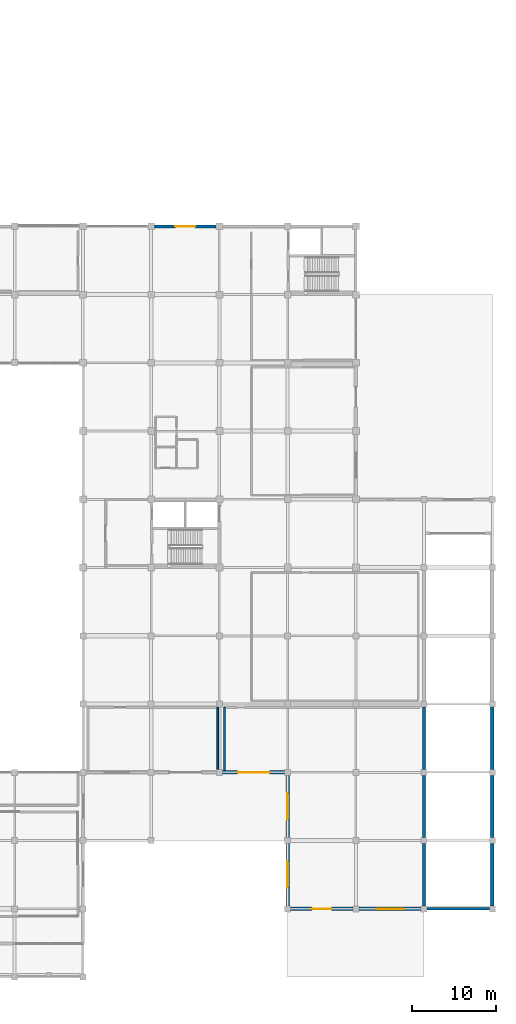
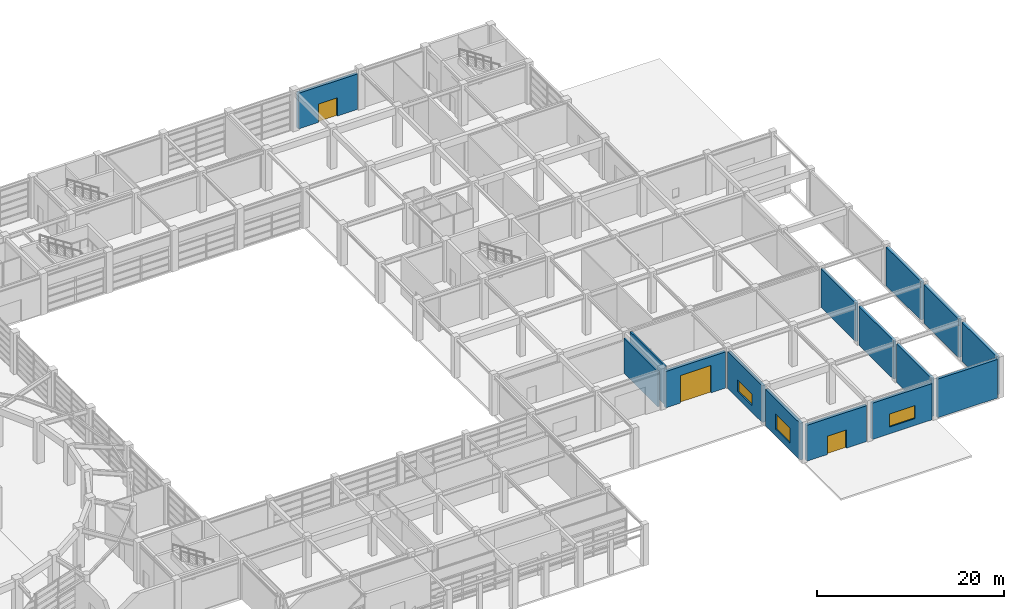
# One storey, part 41 of 52: 15 walls, 3 doors, 3 windows, 6 openings.
"""IFC4 building model written with IfcOpenShell, lengths in metres."""

from ifc_helpers import new_model, si_unit, direction, frame, frame_2d, origin, place, context, subcontext, project, spatial, rectangle, extrude, material, layer, layer_set, type_object, element, fill, save


model = new_model("IFC4")

# Units and contexts
model_context = context("Model", 3, precision=1e-05, world=origin(), true_north=direction((0.0, 1.0)))
body_context = subcontext(model_context, "Body", "Model", "MODEL_VIEW")
ifc_project = project(units=[si_unit("LENGTHUNIT", "METRE"), si_unit("AREAUNIT", "SQUARE_METRE"), si_unit("VOLUMEUNIT", "CUBIC_METRE"), si_unit("PLANEANGLEUNIT", "RADIAN"), si_unit("MASSUNIT", "GRAM", prefix="KILO")], contexts=[model_context])

# Site, building, storey
site_placement = place(None, origin())
site = spatial("IfcSite", under=ifc_project, at=site_placement, CompositionType="ELEMENT")
building_placement = place(site_placement, origin())
building = spatial("IfcBuilding", under=site, at=building_placement, Name="Parian Resonance Hall", CompositionType="ELEMENT")
storey_placement = place(building_placement, origin())
storey = spatial("IfcBuildingStorey", under=building, at=storey_placement, Name="L00", CompositionType="ELEMENT", Elevation=0.0)

# Wall, opening, door
ifc_material_1 = material(Name="Concrete C35/45 with Carcar coral-limestone ashlar", Category="masonry")
ifc_layer_1 = layer(ifc_material_1, 0.3798828125)
ifc_layer_set_1 = layer_set([ifc_layer_1], Name="Concrete C35/45 with Carcar coral-limestone ashlar")
wall_type_1 = type_object("IfcWallType", Name="EW-PLINTH-380", PredefinedType="SOLIDWALL", material=ifc_layer_set_1)
wall_1_placement = place(storey_placement, frame((121.89990234375, 89.10009765625, 0.0), z_axis=(0.0, 0.0, 1.0), x_axis=(1.0, 0.0, 0.0)))
wall_1 = element("IfcWall", 1, at=wall_1_placement, inside=storey, type_object=wall_type_1, Name="Exterior wall EW-L00-0159", PredefinedType="SOLIDWALL", context=body_context, shape_type="SweptSolid", body=[
    extrude(rectangle(XDim=7.300048828125, YDim=0.3798828125, at=frame_2d((3.64990234375, 0.0))), origin(), (0.0, 0.0, 1.0), 4.655029296875),
])
opening_1_placement = place(wall_1_placement, frame((2.469970703125, 0.0, 0.0)))
opening_1 = element("IfcOpeningElement", 2, at=opening_1_placement, cuts=wall_1, Name="Opening EX-01", PredefinedType="OPENING", context=body_context, shape_type="SweptSolid", body=[
    extrude(rectangle(XDim=2.360107421875, YDim=2.39990234375, at=frame_2d((1.18017578125, 1.199951171875))), frame((0.0, 0.199951171875, 0.0), z_axis=(0.0, -1.0, 0.0), x_axis=(1.0, 0.0, 0.0)), (0.0, 0.0, 1.0), 0.39990234375),
])
ifc_material_2 = material(Name="Marine-grade bronze and acoustic glazed door")
door_type_1 = type_object("IfcDoorType", Name="ED-EXIT-2000x2400", OperationType="NOTDEFINED", PredefinedType="DOOR", material=ifc_material_2)
door_1_placement = place(opening_1_placement, origin())
door_1 = element("IfcDoor", 3, at=door_1_placement, inside=storey, type_object=door_type_1, Name="North artists exit door EX-V5N-15", OperationType="DOUBLE_DOOR_SINGLE_SWING", OverallHeight=2.39990234375, OverallWidth=2.360107421875, PredefinedType="DOOR", context=body_context, shape_type="SweptSolid", body=[
    extrude(rectangle(XDim=2.360107421875, YDim=2.39990234375, at=frame_2d((1.18017578125, 1.199951171875))), frame((0.0, 0.02490234375, 0.0), z_axis=(0.0, -1.0, 0.0), x_axis=(1.0, 0.0, 0.0)), (0.0, 0.0, 1.0), 0.050048828125),
])
fill(opening_1, door_1)

# Wall, opening, window
wall_2_placement = place(storey_placement, frame((137.699951171875, 23.949951171875, 0.0), z_axis=(0.0, 0.0, 1.0), x_axis=(0.0, -1.0, 0.0)))
wall_2 = element("IfcWall", 4, at=wall_2_placement, inside=storey, type_object=wall_type_1, Name="Perimeter closure wall L00", PredefinedType="SOLIDWALL", context=body_context, shape_type="SweptSolid", body=[
    extrude(rectangle(XDim=7.39990234375, YDim=0.3798828125, at=frame_2d((3.699951171875, 0.0))), origin(), (0.0, 0.0, 1.0), 4.806884765625),
])
opening_2_placement = place(wall_2_placement, frame((2.14990234375, 0.0, 0.89990234375)))
opening_2 = element("IfcOpeningElement", 5, at=opening_2_placement, cuts=wall_2, Name="Opening WN-49", PredefinedType="OPENING", context=body_context, shape_type="SweptSolid", body=[
    extrude(rectangle(XDim=3.10009765625, YDim=1.5, at=frame_2d((1.550048828125, 0.75))), frame((0.0, 0.199951171875, 0.0), z_axis=(0.0, -1.0, 0.0), x_axis=(1.0, 0.0, 0.0)), (0.0, 0.0, 1.0), 0.39990234375),
])
ifc_material_3 = material(Name="Acoustic laminated double glazing", Category="glass")
window_type_1 = type_object("IfcWindowType", Name="WIN-3100x1500", PartitioningType="SINGLE_PANEL", PredefinedType="WINDOW", material=ifc_material_3)
window_1_placement = place(opening_2_placement, origin())
window_1 = element("IfcWindow", 6, at=window_1_placement, inside=storey, type_object=window_type_1, Name="Acoustic window L00-0042", OverallHeight=1.5, OverallWidth=3.10009765625, PartitioningType="SINGLE_PANEL", PredefinedType="WINDOW", context=body_context, shape_type="SweptSolid", body=[
    extrude(rectangle(XDim=3.10009765625, YDim=1.5, at=frame_2d((1.550048828125, 0.75))), frame((0.0, 0.030029296875, 0.0), z_axis=(0.0, -1.0, 0.0), x_axis=(1.0, 0.0, 0.0)), (0.0, 0.0, 1.0), 0.06005859375),
])
fill(opening_2, window_1)

wall_3_placement = place(storey_placement, frame((137.699951171875, 15.85009765625, 0.0), z_axis=(0.0, 0.0, 1.0), x_axis=(0.0, -1.0, 0.0)))
wall_3 = element("IfcWall", 7, at=wall_3_placement, inside=storey, type_object=wall_type_1, Name="Perimeter closure wall L00", PredefinedType="SOLIDWALL", context=body_context, shape_type="SweptSolid", body=[
    extrude(rectangle(XDim=7.400146484375, YDim=0.3798828125, at=frame_2d((3.7001953125, 0.0))), origin(), (0.0, 0.0, 1.0), 4.806884765625),
])
opening_3_placement = place(wall_3_placement, frame((2.14990234375, 0.0, 0.89990234375)))
opening_3 = element("IfcOpeningElement", 8, at=opening_3_placement, cuts=wall_3, Name="Opening WN-50", PredefinedType="OPENING", context=body_context, shape_type="SweptSolid", body=[
    extrude(rectangle(XDim=3.10009765625, YDim=2.0, at=frame_2d((1.550048828125, 1.0))), frame((0.0, 0.199951171875, 0.0), z_axis=(0.0, -1.0, 0.0), x_axis=(1.0, 0.0, 0.0)), (0.0, 0.0, 1.0), 0.39990234375),
])
ifc_material_4 = material(Name="Acoustic laminated double glazing", Category="glass")
window_type_2 = type_object("IfcWindowType", Name="WIN-3100x2000", PartitioningType="SINGLE_PANEL", PredefinedType="WINDOW", material=ifc_material_4)
window_2_placement = place(opening_3_placement, origin())
window_2 = element("IfcWindow", 9, at=window_2_placement, inside=storey, type_object=window_type_2, Name="Acoustic window L00-0043", OverallHeight=2.0, OverallWidth=3.10009765625, PartitioningType="SINGLE_PANEL", PredefinedType="WINDOW", context=body_context, shape_type="SweptSolid", body=[
    extrude(rectangle(XDim=3.10009765625, YDim=2.0, at=frame_2d((1.550048828125, 1.0))), frame((0.0, 0.030029296875, 0.0), z_axis=(0.0, -1.0, 0.0), x_axis=(1.0, 0.0, 0.0)), (0.0, 0.0, 1.0), 0.06005859375),
])
fill(opening_3, window_2)

wall_4_placement = place(storey_placement, frame((146.14990234375, 8.10009765625, 0.0), z_axis=(0.0, 0.0, 1.0), x_axis=(1.0, 0.0, 0.0)))
wall_4 = element("IfcWall", 10, at=wall_4_placement, inside=storey, type_object=wall_type_1, Name="Perimeter closure wall L00", PredefinedType="SOLIDWALL", context=body_context, shape_type="SweptSolid", body=[
    extrude(rectangle(XDim=7.400146484375, YDim=0.3798828125, at=frame_2d((3.7001953125, 0.0))), origin(), (0.0, 0.0, 1.0), 4.7470703125),
])
opening_4_placement = place(wall_4_placement, frame((2.10009765625, 0.0, 0.89990234375)))
opening_4 = element("IfcOpeningElement", 11, at=opening_4_placement, cuts=wall_4, Name="Opening WN-51", PredefinedType="OPENING", context=body_context, shape_type="SweptSolid", body=[
    extrude(rectangle(XDim=3.199951171875, YDim=1.699951171875, at=frame_2d((1.60009765625, 0.85009765625))), frame((0.0, 0.199951171875, 0.0), z_axis=(0.0, -1.0, 0.0), x_axis=(1.0, 0.0, 0.0)), (0.0, 0.0, 1.0), 0.39990234375),
])
ifc_material_5 = material(Name="Acoustic laminated double glazing", Category="glass")
window_type_3 = type_object("IfcWindowType", Name="WIN-3200x1700", PartitioningType="SINGLE_PANEL", PredefinedType="WINDOW", material=ifc_material_5)
window_3_placement = place(opening_4_placement, origin())
window_3 = element("IfcWindow", 12, at=window_3_placement, inside=storey, type_object=window_type_3, Name="Acoustic window L00-0044", OverallHeight=1.699951171875, OverallWidth=3.199951171875, PartitioningType="SINGLE_PANEL", PredefinedType="WINDOW", context=body_context, shape_type="SweptSolid", body=[
    extrude(rectangle(XDim=3.199951171875, YDim=1.699951171875, at=frame_2d((1.60009765625, 0.85009765625))), frame((0.0, 0.030029296875, 0.0), z_axis=(0.0, -1.0, 0.0), x_axis=(1.0, 0.0, 0.0)), (0.0, 0.0, 1.0), 0.06005859375),
])
fill(opening_4, window_3)

# Wall, opening, door
ifc_material_6 = material(Name="Concrete C35/45 with Carcar coral-limestone ashlar", Category="masonry")
ifc_layer_2 = layer(ifc_material_6, 0.39990234375)
ifc_layer_set_2 = layer_set([ifc_layer_2], Name="Concrete C35/45 with Carcar coral-limestone ashlar")
wall_type_2 = type_object("IfcWallType", Name="EW-PLINTH-400", PredefinedType="SOLIDWALL", material=ifc_layer_set_2)
wall_5_placement = place(storey_placement, frame((137.35009765625, 24.300048828125, 0.0), z_axis=(0.0, 0.0, 1.0), x_axis=(-1.0, 0.0, 0.0)))
wall_5 = element("IfcWall", 13, at=wall_5_placement, inside=storey, type_object=wall_type_2, Name="Exterior wall EW-L00-0155", PredefinedType="SOLIDWALL", context=body_context, shape_type="SweptSolid", body=[
    extrude(rectangle(XDim=7.400146484375, YDim=0.39990234375, at=frame_2d((3.7001953125, 0.0))), origin(), (0.0, 0.0, 1.0), 4.7470703125),
])
opening_5_placement = place(wall_5_placement, frame((1.800048828125, 0.0, 0.0)))
opening_5 = element("IfcOpeningElement", 14, at=opening_5_placement, cuts=wall_5, Name="Opening DG-01", PredefinedType="OPENING", context=body_context, shape_type="SweptSolid", body=[
    extrude(rectangle(XDim=3.800048828125, YDim=3.60009765625, at=frame_2d((1.89990234375, 1.800048828125))), frame((0.0, 0.2099609375, 0.0), z_axis=(0.0, -1.0, 0.0), x_axis=(1.0, 0.0, 0.0)), (0.0, 0.0, 1.0), 0.419921875),
])
ifc_material_7 = material(Name="Galvanised steel acoustic roller shutter", Category="steel")
door_type_2 = type_object("IfcDoorType", Name="GATE-DOCK-3800x3600", OperationType="NOTDEFINED", PredefinedType="GATE", material=ifc_material_7)
door_2_placement = place(opening_5_placement, origin())
door_2 = element("IfcDoor", 15, at=door_2_placement, inside=storey, type_object=door_type_2, Name="Acoustic truck loading dock shutter DG-2", OperationType="SINGLE_SWING_LEFT", OverallHeight=3.60009765625, OverallWidth=3.800048828125, PredefinedType="GATE", context=body_context, shape_type="SweptSolid", body=[
    extrude(rectangle(XDim=3.800048828125, YDim=3.60009765625, at=frame_2d((1.89990234375, 1.800048828125))), frame((0.0, 0.02490234375, 0.0), z_axis=(0.0, -1.0, 0.0), x_axis=(1.0, 0.0, 0.0)), (0.0, 0.0, 1.0), 0.050048828125),
])
fill(opening_5, door_2)

wall_6_placement = place(storey_placement, frame((145.449951171875, 8.10009765625, 0.0), z_axis=(0.0, 0.0, 1.0), x_axis=(-1.0, 0.0, 0.0)))
wall_6 = element("IfcWall", 16, at=wall_6_placement, inside=storey, type_object=wall_type_2, Name="Exterior wall EW-L00-0156", PredefinedType="SOLIDWALL", context=body_context, shape_type="SweptSolid", body=[
    extrude(rectangle(XDim=7.39990234375, YDim=0.39990234375, at=frame_2d((3.699951171875, 0.0))), origin(), (0.0, 0.0, 1.0), 4.695068359375),
])
opening_6_placement = place(wall_6_placement, frame((2.52001953125, 0.0, 0.0)))
opening_6 = element("IfcOpeningElement", 17, at=opening_6_placement, cuts=wall_6, Name="Opening EX-01", PredefinedType="OPENING", context=body_context, shape_type="SweptSolid", body=[
    extrude(rectangle(XDim=2.360107421875, YDim=2.39990234375, at=frame_2d((1.18017578125, 1.199951171875))), frame((0.0, 0.2099609375, 0.0), z_axis=(0.0, -1.0, 0.0), x_axis=(1.0, 0.0, 0.0)), (0.0, 0.0, 1.0), 0.419921875),
])
door_3_placement = place(opening_6_placement, origin())
door_3 = element("IfcDoor", 18, at=door_3_placement, inside=storey, type_object=door_type_1, Name="South stage exit door EX-V5S-17", OperationType="DOUBLE_DOOR_SINGLE_SWING", OverallHeight=2.39990234375, OverallWidth=2.360107421875, PredefinedType="DOOR", context=body_context, shape_type="SweptSolid", body=[
    extrude(rectangle(XDim=2.360107421875, YDim=2.39990234375, at=frame_2d((1.18017578125, 1.199951171875))), frame((0.0, 0.02490234375, 0.0), z_axis=(0.0, -1.0, 0.0), x_axis=(1.0, 0.0, 0.0)), (0.0, 0.0, 1.0), 0.050048828125),
])
fill(opening_6, door_3)

# Walls
wall_7_placement = place(storey_placement, frame((162.0, 15.85009765625, 0.0), z_axis=(0.0, 0.0, 1.0), x_axis=(0.0, -1.0, 0.0)))
element("IfcWall", 19, at=wall_7_placement, inside=storey, type_object=wall_type_2, Name="Ground vehicle ramp east enclosure wall 1", PredefinedType="SOLIDWALL", context=body_context, shape_type="SweptSolid", body=[
    extrude(rectangle(XDim=7.400146484375, YDim=0.39990234375, at=frame_2d((3.7001953125, 0.0))), origin(), (0.0, 0.0, 1.0), 5.050048828125),
])
wall_8_placement = place(storey_placement, frame((162.0, 23.949951171875, 0.0), z_axis=(0.0, 0.0, 1.0), x_axis=(0.0, -1.0, 0.0)))
element("IfcWall", 20, at=wall_8_placement, inside=storey, type_object=wall_type_2, Name="Ground vehicle ramp east enclosure wall 2", PredefinedType="SOLIDWALL", context=body_context, shape_type="SweptSolid", body=[
    extrude(rectangle(XDim=7.39990234375, YDim=0.39990234375, at=frame_2d((3.699951171875, 0.0))), origin(), (0.0, 0.0, 1.0), 5.050048828125),
])
wall_9_placement = place(storey_placement, frame((162.0, 32.050048828125, 0.0), z_axis=(0.0, 0.0, 1.0), x_axis=(0.0, -1.0, 0.0)))
element("IfcWall", 21, at=wall_9_placement, inside=storey, type_object=wall_type_2, Name="Ground vehicle ramp east enclosure wall 3", PredefinedType="SOLIDWALL", context=body_context, shape_type="SweptSolid", body=[
    extrude(rectangle(XDim=7.400146484375, YDim=0.39990234375, at=frame_2d((3.7001953125, 0.0))), origin(), (0.0, 0.0, 1.0), 5.050048828125),
])
ifc_material_8 = material(Name="Concrete C35/45 with Carcar coral-limestone ashlar", Category="masonry")
ifc_layer_3 = layer(ifc_material_8, 0.340087890625)
ifc_layer_set_3 = layer_set([ifc_layer_3], Name="Concrete C35/45 with Carcar coral-limestone ashlar")
wall_type_3 = type_object("IfcWallType", Name="EW-STONE-340", PredefinedType="SOLIDWALL", material=ifc_layer_set_3)
wall_10_placement = place(storey_placement, frame((153.89990234375, 8.449951171875, 0.0), z_axis=(0.0, 0.0, 1.0), x_axis=(0.0, 1.0, 0.0)))
element("IfcWall", 22, at=wall_10_placement, inside=storey, type_object=wall_type_3, Name="Ground vehicle ramp west enclosure wall 1", PredefinedType="SOLIDWALL", context=body_context, shape_type="SweptSolid", body=[
    extrude(rectangle(XDim=7.400146484375, YDim=0.340087890625, at=frame_2d((3.7001953125, 0.0))), origin(), (0.0, 0.0, 1.0), 5.050048828125),
])
wall_11_placement = place(storey_placement, frame((153.89990234375, 16.550048828125, 0.0), z_axis=(0.0, 0.0, 1.0), x_axis=(0.0, 1.0, 0.0)))
element("IfcWall", 23, at=wall_11_placement, inside=storey, type_object=wall_type_3, Name="Ground vehicle ramp west enclosure wall 2", PredefinedType="SOLIDWALL", context=body_context, shape_type="SweptSolid", body=[
    extrude(rectangle(XDim=7.39990234375, YDim=0.340087890625, at=frame_2d((3.699951171875, 0.0))), origin(), (0.0, 0.0, 1.0), 5.050048828125),
])
wall_12_placement = place(storey_placement, frame((153.89990234375, 24.64990234375, 0.0), z_axis=(0.0, 0.0, 1.0), x_axis=(0.0, 1.0, 0.0)))
element("IfcWall", 24, at=wall_12_placement, inside=storey, type_object=wall_type_3, Name="Ground vehicle ramp west enclosure wall 3", PredefinedType="SOLIDWALL", context=body_context, shape_type="SweptSolid", body=[
    extrude(rectangle(XDim=7.400146484375, YDim=0.340087890625, at=frame_2d((3.7001953125, 0.0))), origin(), (0.0, 0.0, 1.0), 5.050048828125),
])
wall_13_placement = place(storey_placement, frame((154.25, 8.10009765625, 0.0), z_axis=(0.0, 0.0, 1.0), x_axis=(1.0, 0.0, 0.0)))
element("IfcWall", 25, at=wall_13_placement, inside=storey, type_object=wall_type_3, Name="Vehicle ramp south headwall", PredefinedType="SOLIDWALL", context=body_context, shape_type="SweptSolid", body=[
    extrude(rectangle(XDim=7.39990234375, YDim=0.340087890625, at=frame_2d((3.699951171875, 0.0))), origin(), (0.0, 0.0, 1.0), 5.050048828125),
])
ifc_material_9 = material(Name="Concrete C35/45 fire barrier", Category="concrete")
ifc_layer_4 = layer(ifc_material_9, 0.199951171875)
ifc_layer_set_4 = layer_set([ifc_layer_4], Name="Concrete C35/45 fire barrier")
wall_type_4 = type_object("IfcWallType", Name="FW200", PredefinedType="PARTITIONING", material=ifc_layer_set_4)
wall_14_placement = place(storey_placement, frame((130.199951171875, 24.52001953125, 0.0), z_axis=(0.0, 0.0, 1.0), x_axis=(0.0, 1.0, 0.0)))
element("IfcWall", 26, at=wall_14_placement, inside=storey, type_object=wall_type_4, Name="Interior acoustic partition IW-L00-0084", PredefinedType="PARTITIONING", context=body_context, shape_type="SweptSolid", body=[
    extrude(rectangle(XDim=7.47998046875, YDim=0.199951171875, at=frame_2d((3.739990234375, 0.0))), origin(), (0.0, 0.0, 1.0), 5.1201171875),
])
wall_15_placement = place(storey_placement, frame((129.39990234375, 32.0, 0.0), z_axis=(0.0, 0.0, 1.0), x_axis=(0.0, -1.0, 0.0)))
element("IfcWall", 27, at=wall_15_placement, inside=storey, type_object=wall_type_4, Name="Interior acoustic partition IW-L00-0088", PredefinedType="PARTITIONING", context=body_context, shape_type="SweptSolid", body=[
    extrude(rectangle(XDim=7.330078125, YDim=0.199951171875, at=frame_2d((3.6650390625, 0.0))), origin(), (0.0, 0.0, 1.0), 4.56396484375),
])

save(model, "model.ifc")
